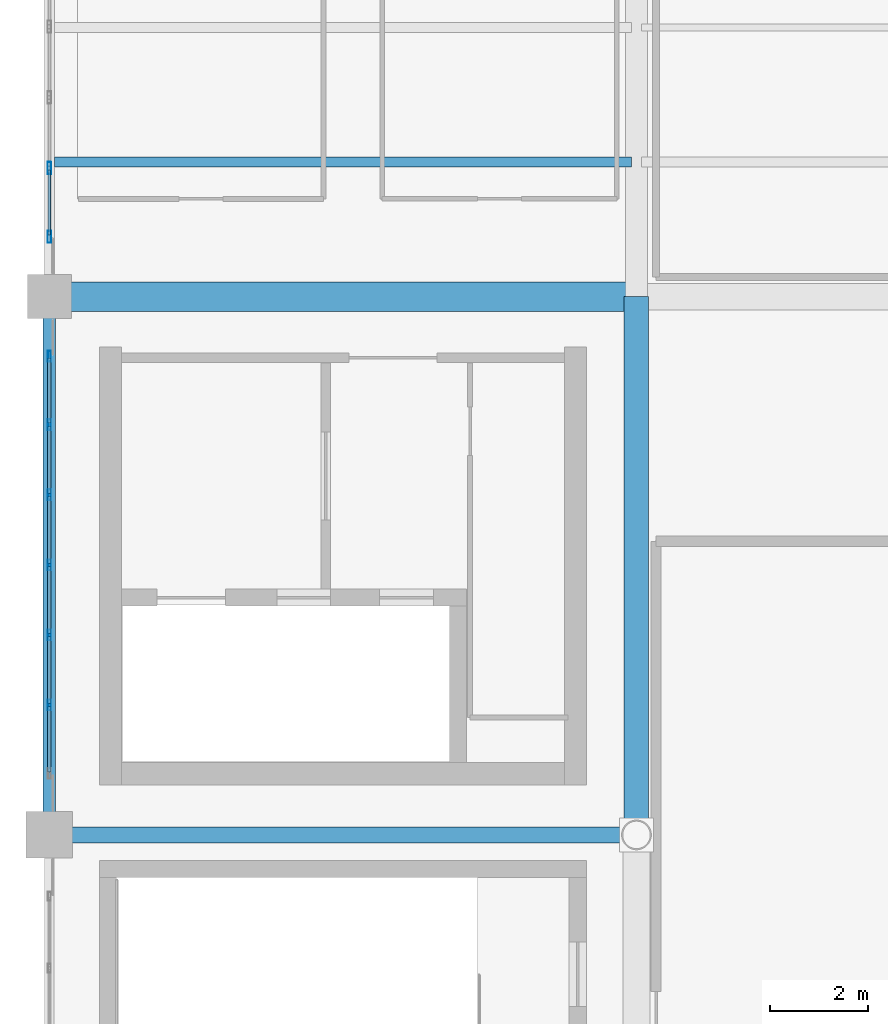
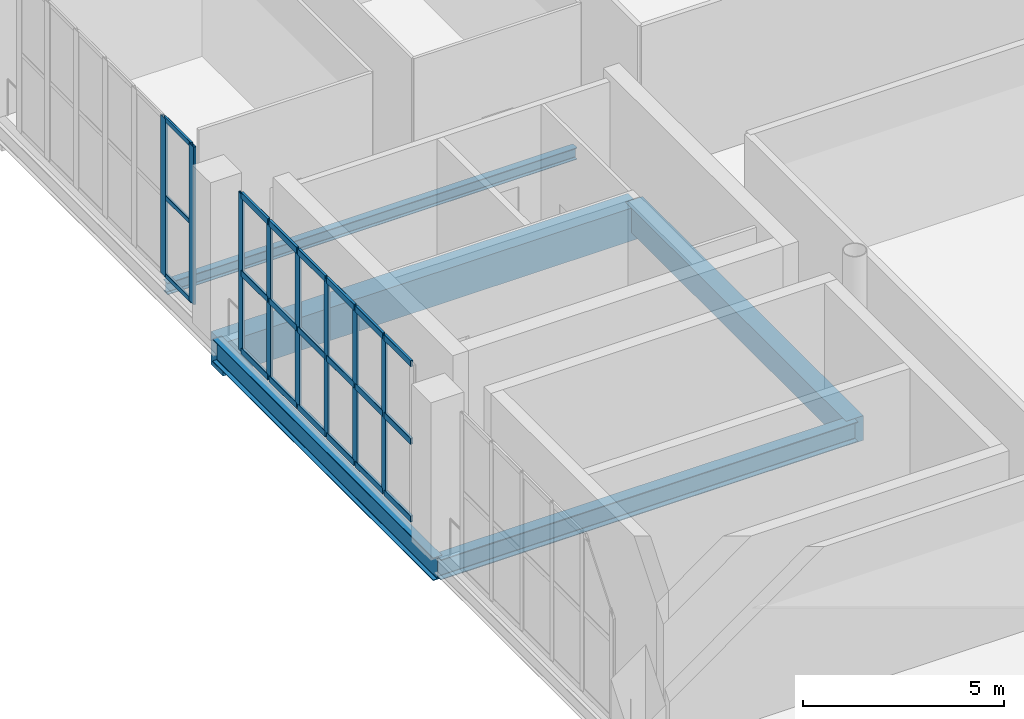
# One storey, part 21 of 49: 29 members, 5 beams, 2 elements without a shape of their own.
"""IFC4 building model written with IfcOpenShell, lengths in metres."""

from ifc_helpers import new_model, si_unit, direction, frame, origin, origin_2d, place, context, subcontext, project, spatial, rectangle, hollow_rectangle, i_section, extrude, material, layer, layer_set, material_profile, profile_set, type_object, element, aggregate, save


model = new_model("IFC4")

# Units and contexts
model_context = context("Model", 3, precision=1e-05, world=origin(), true_north=direction((0.0, 1.0)))
body_context = subcontext(model_context, "Body", "Model", "MODEL_VIEW")
ifc_project = project(units=[si_unit("LENGTHUNIT", "METRE"), si_unit("AREAUNIT", "SQUARE_METRE"), si_unit("VOLUMEUNIT", "CUBIC_METRE"), si_unit("PLANEANGLEUNIT", "RADIAN"), si_unit("MASSUNIT", "GRAM", prefix="KILO")], contexts=[model_context])

# Site, building, storey
site_placement = place(None, origin())
site = spatial("IfcSite", under=ifc_project, at=site_placement, CompositionType="ELEMENT")
building_placement = place(site_placement, origin())
building = spatial("IfcBuilding", under=site, at=building_placement, Name="Brinegate Civic Arena", CompositionType="ELEMENT")
storey_placement = place(building_placement, frame((0.0, 0.0, 24.60009765625)))
storey = spatial("IfcBuildingStorey", under=building, at=storey_placement, Name="L05", CompositionType="ELEMENT", Elevation=24.60009765625)

# Curtain wall, members
ifc_material_1 = material(Name="Marine grade aluminium", Category="aluminium")
ifc_layer = layer(ifc_material_1, 0.199951171875, Name="Marine grade aluminium")
ifc_layer_set = layer_set([ifc_layer], Name="Marine grade aluminium")
curtain_wall_type = type_object("IfcCurtainWallType", Name="CW-BOWL-GLAZED-01", PredefinedType="USERDEFINED", material=ifc_layer_set)
curtain_wall_1_placement = place(storey_placement, origin())
curtain_wall_1 = element("IfcCurtainWall", 1, at=curtain_wall_1_placement, inside=storey, type_object=curtain_wall_type, Name="Curtain Wall CWA-161", ObjectType="GLAZED CURTAIN WALL", PredefinedType="USERDEFINED")
ifc_material_profile_1 = material_profile(ifc_material_1, hollow_rectangle(XDim=0.06494140625, YDim=0.219970703125, WallThickness=0.006103515625, InnerFilletRadius=0.00390625, OuterFilletRadius=0.008056640625, at=origin_2d()), Name="MUL65X220")
ifc_profile_set_1 = profile_set([ifc_material_profile_1], Name="Marine grade aluminium")
member_type_1 = type_object("IfcMemberType", Name="CW-MULLION-65X220", PredefinedType="MULLION", material=ifc_profile_set_1)
member_1_placement = place(storey_placement, frame((48.0, 84.654052734375, 0.0), z_axis=(0.0, 0.0, 1.0), x_axis=(-1.0, 0.0, 0.0)))
member_1 = element("IfcMember", 2, at=member_1_placement, type_object=member_type_1, Name="CWA-161 mullion 2", PredefinedType="MULLION", context=body_context, shape_type="SweptSolid", body=[
    extrude(hollow_rectangle(XDim=0.06494140625, YDim=0.219970703125, WallThickness=0.006103515625, InnerFilletRadius=0.00390625, OuterFilletRadius=0.008056640625, at=origin_2d()), origin(), (0.0, 0.0, 1.0), 4.7998046875),
])
member_2_placement = place(storey_placement, frame((48.0, 86.0859375, 0.0), z_axis=(0.0, 0.0, 1.0), x_axis=(-1.0, 0.0, 0.0)))
member_2 = element("IfcMember", 3, at=member_2_placement, type_object=member_type_1, Name="CWA-161 mullion 3", PredefinedType="MULLION", context=body_context, shape_type="SweptSolid", body=[
    extrude(hollow_rectangle(XDim=0.06494140625, YDim=0.219970703125, WallThickness=0.006103515625, InnerFilletRadius=0.00390625, OuterFilletRadius=0.008056640625, at=origin_2d()), origin(), (0.0, 0.0, 1.0), 4.7998046875),
])
member_3_placement = place(storey_placement, frame((48.0, 87.51806640625, 0.0), z_axis=(0.0, 0.0, 1.0), x_axis=(-1.0, 0.0, 0.0)))
member_3 = element("IfcMember", 4, at=member_3_placement, type_object=member_type_1, Name="CWA-161 mullion 4", PredefinedType="MULLION", context=body_context, shape_type="SweptSolid", body=[
    extrude(hollow_rectangle(XDim=0.06494140625, YDim=0.219970703125, WallThickness=0.006103515625, InnerFilletRadius=0.00390625, OuterFilletRadius=0.008056640625, at=origin_2d()), origin(), (0.0, 0.0, 1.0), 4.7998046875),
])
member_4_placement = place(storey_placement, frame((48.0, 88.949951171875, 0.0), z_axis=(0.0, 0.0, 1.0), x_axis=(-1.0, 0.0, 0.0)))
member_4 = element("IfcMember", 5, at=member_4_placement, type_object=member_type_1, Name="CWA-161 mullion 5", PredefinedType="MULLION", context=body_context, shape_type="SweptSolid", body=[
    extrude(hollow_rectangle(XDim=0.06494140625, YDim=0.219970703125, WallThickness=0.006103515625, InnerFilletRadius=0.00390625, OuterFilletRadius=0.008056640625, at=origin_2d()), origin(), (0.0, 0.0, 1.0), 4.7998046875),
])
member_5_placement = place(storey_placement, frame((48.0, 90.382080078125, 0.0), z_axis=(0.0, 0.0, 1.0), x_axis=(-1.0, 0.0, 0.0)))
member_5 = element("IfcMember", 6, at=member_5_placement, type_object=member_type_1, Name="CWA-161 mullion 6", PredefinedType="MULLION", context=body_context, shape_type="SweptSolid", body=[
    extrude(hollow_rectangle(XDim=0.06494140625, YDim=0.219970703125, WallThickness=0.006103515625, InnerFilletRadius=0.00390625, OuterFilletRadius=0.008056640625, at=origin_2d()), origin(), (0.0, 0.0, 1.0), 4.7998046875),
])
member_6_placement = place(storey_placement, frame((48.0, 91.781494140625, 0.0), z_axis=(0.0, 0.0, 1.0), x_axis=(-1.0, 0.0, 0.0)))
member_6 = element("IfcMember", 7, at=member_6_placement, type_object=member_type_1, Name="CWA-161 mullion 7", PredefinedType="MULLION", context=body_context, shape_type="SweptSolid", body=[
    extrude(hollow_rectangle(XDim=0.06494140625, YDim=0.219970703125, WallThickness=0.006103515625, InnerFilletRadius=0.00390625, OuterFilletRadius=0.008056640625, at=origin_2d()), origin(), (0.0, 0.0, 1.0), 4.7998046875),
])

curtain_wall_2_placement = place(storey_placement, origin())
curtain_wall_2 = element("IfcCurtainWall", 8, at=curtain_wall_2_placement, inside=storey, type_object=curtain_wall_type, Name="Curtain Wall CWA-162", ObjectType="GLAZED CURTAIN WALL", PredefinedType="USERDEFINED")
ifc_material_profile_2 = material_profile(ifc_material_1, hollow_rectangle(XDim=0.074951171875, YDim=0.25, WallThickness=0.006103515625, InnerFilletRadius=0.00390625, OuterFilletRadius=0.008056640625, at=origin_2d()), Name="MUL75X250")
ifc_profile_set_2 = profile_set([ifc_material_profile_2], Name="Marine grade aluminium")
member_type_2 = type_object("IfcMemberType", Name="CW-MULLION-75X250", PredefinedType="MULLION", material=ifc_profile_set_2)
member_7_placement = place(storey_placement, frame((48.0, 94.223388671875, 0.0), z_axis=(0.0, 0.0, 1.0), x_axis=(-1.0, 0.0, 0.0)))
member_7 = element("IfcMember", 9, at=member_7_placement, type_object=member_type_2, Name="CWA-162 mullion 1", PredefinedType="MULLION", context=body_context, shape_type="SweptSolid", body=[
    extrude(hollow_rectangle(XDim=0.074951171875, YDim=0.25, WallThickness=0.006103515625, InnerFilletRadius=0.00390625, OuterFilletRadius=0.008056640625, at=origin_2d()), origin(), (0.0, 0.0, 1.0), 4.7998046875),
])
member_8_placement = place(storey_placement, frame((48.0, 95.6298828125, 0.0), z_axis=(0.0, 0.0, 1.0), x_axis=(-1.0, 0.0, 0.0)))
member_8 = element("IfcMember", 10, at=member_8_placement, type_object=member_type_2, Name="CWA-162 mullion 2", PredefinedType="MULLION", context=body_context, shape_type="SweptSolid", body=[
    extrude(hollow_rectangle(XDim=0.074951171875, YDim=0.25, WallThickness=0.006103515625, InnerFilletRadius=0.00390625, OuterFilletRadius=0.008056640625, at=origin_2d()), origin(), (0.0, 0.0, 1.0), 4.7998046875),
])
ifc_material_profile_3 = material_profile(ifc_material_1, hollow_rectangle(XDim=0.06494140625, YDim=0.139892578125, WallThickness=0.0048828125, InnerFilletRadius=0.00390625, OuterFilletRadius=0.008056640625, at=origin_2d()), Name="TRN65X140")
ifc_profile_set_3 = profile_set([ifc_material_profile_3], Name="Marine grade aluminium")
member_type_3 = type_object("IfcMemberType", Name="CW-TRANSOM-65X140", PredefinedType="USERDEFINED", material=ifc_profile_set_3)
member_9_placement = place(storey_placement, frame((48.0, 94.260986328125, 0.032470703125), z_axis=(0.0, 1.0, 0.0), x_axis=(-1.0, 0.0, 0.0)))
member_9 = element("IfcMember", 11, at=member_9_placement, type_object=member_type_3, Name="CWA-162 transom 1.1", ObjectType="TRANSOM", PredefinedType="USERDEFINED", context=body_context, shape_type="SweptSolid", body=[
    extrude(hollow_rectangle(XDim=0.06494140625, YDim=0.139892578125, WallThickness=0.0048828125, InnerFilletRadius=0.00390625, OuterFilletRadius=0.008056640625, at=origin_2d()), origin(), (0.0, 0.0, 1.0), 1.331298828125),
])
member_10_placement = place(storey_placement, frame((48.0, 94.260986328125, 2.39990234375), z_axis=(0.0, 1.0, 0.0), x_axis=(-1.0, 0.0, 0.0)))
member_10 = element("IfcMember", 12, at=member_10_placement, type_object=member_type_3, Name="CWA-162 transom 1.2", ObjectType="TRANSOM", PredefinedType="USERDEFINED", context=body_context, shape_type="SweptSolid", body=[
    extrude(hollow_rectangle(XDim=0.06494140625, YDim=0.139892578125, WallThickness=0.0048828125, InnerFilletRadius=0.00390625, OuterFilletRadius=0.008056640625, at=origin_2d()), origin(), (0.0, 0.0, 1.0), 1.331298828125),
])
member_11_placement = place(storey_placement, frame((48.0, 94.260986328125, 4.767333984375), z_axis=(0.0, 1.0, 0.0), x_axis=(-1.0, 0.0, 0.0)))
member_11 = element("IfcMember", 13, at=member_11_placement, type_object=member_type_3, Name="CWA-162 transom 1.3", ObjectType="TRANSOM", PredefinedType="USERDEFINED", context=body_context, shape_type="SweptSolid", body=[
    extrude(hollow_rectangle(XDim=0.06494140625, YDim=0.139892578125, WallThickness=0.0048828125, InnerFilletRadius=0.00390625, OuterFilletRadius=0.008056640625, at=origin_2d()), origin(), (0.0, 0.0, 1.0), 1.331298828125),
])
aggregate(curtain_wall_2, [member_7, member_8, member_9, member_10, member_11])

# Member
ifc_material_profile_4 = material_profile(ifc_material_1, hollow_rectangle(XDim=0.074951171875, YDim=0.18994140625, WallThickness=0.006103515625, InnerFilletRadius=0.00390625, OuterFilletRadius=0.008056640625, at=origin_2d()), Name="TRN75X190")
ifc_profile_set_4 = profile_set([ifc_material_profile_4], Name="Marine grade aluminium")
member_type_4 = type_object("IfcMemberType", Name="CW-TRANSOM-75X190", PredefinedType="USERDEFINED", material=ifc_profile_set_4)
member_12_placement = place(storey_placement, frame((48.0, 83.287109375, 0.037353515625), z_axis=(0.0, 1.0, 0.0), x_axis=(-1.0, 0.0, 0.0)))
member_12 = element("IfcMember", 14, at=member_12_placement, type_object=member_type_4, Name="CWA-161 transom 1.1", ObjectType="TRANSOM", PredefinedType="USERDEFINED", context=body_context, shape_type="SweptSolid", body=[
    extrude(hollow_rectangle(XDim=0.074951171875, YDim=0.18994140625, WallThickness=0.006103515625, InnerFilletRadius=0.00390625, OuterFilletRadius=0.008056640625, at=origin_2d()), origin(), (0.0, 0.0, 1.0), 1.33447265625),
])

member_13_placement = place(storey_placement, frame((48.0, 83.287109375, 2.39990234375), z_axis=(0.0, 1.0, 0.0), x_axis=(-1.0, 0.0, 0.0)))
member_13 = element("IfcMember", 15, at=member_13_placement, type_object=member_type_4, Name="CWA-161 transom 1.2", ObjectType="TRANSOM", PredefinedType="USERDEFINED", context=body_context, shape_type="SweptSolid", body=[
    extrude(hollow_rectangle(XDim=0.074951171875, YDim=0.18994140625, WallThickness=0.006103515625, InnerFilletRadius=0.00390625, OuterFilletRadius=0.008056640625, at=origin_2d()), origin(), (0.0, 0.0, 1.0), 1.33447265625),
])

member_14_placement = place(storey_placement, frame((48.0, 83.287109375, 4.762451171875), z_axis=(0.0, 1.0, 0.0), x_axis=(-1.0, 0.0, 0.0)))
member_14 = element("IfcMember", 16, at=member_14_placement, type_object=member_type_4, Name="CWA-161 transom 1.3", ObjectType="TRANSOM", PredefinedType="USERDEFINED", context=body_context, shape_type="SweptSolid", body=[
    extrude(hollow_rectangle(XDim=0.074951171875, YDim=0.18994140625, WallThickness=0.006103515625, InnerFilletRadius=0.00390625, OuterFilletRadius=0.008056640625, at=origin_2d()), origin(), (0.0, 0.0, 1.0), 1.33447265625),
])

member_15_placement = place(storey_placement, frame((48.0, 84.6865234375, 0.037353515625), z_axis=(0.0, 1.0, 0.0), x_axis=(-1.0, 0.0, 0.0)))
member_15 = element("IfcMember", 17, at=member_15_placement, type_object=member_type_4, Name="CWA-161 transom 2.1", ObjectType="TRANSOM", PredefinedType="USERDEFINED", context=body_context, shape_type="SweptSolid", body=[
    extrude(hollow_rectangle(XDim=0.074951171875, YDim=0.18994140625, WallThickness=0.006103515625, InnerFilletRadius=0.00390625, OuterFilletRadius=0.008056640625, at=origin_2d()), origin(), (0.0, 0.0, 1.0), 1.366943359375),
])

member_16_placement = place(storey_placement, frame((48.0, 84.6865234375, 2.39990234375), z_axis=(0.0, 1.0, 0.0), x_axis=(-1.0, 0.0, 0.0)))
member_16 = element("IfcMember", 18, at=member_16_placement, type_object=member_type_4, Name="CWA-161 transom 2.2", ObjectType="TRANSOM", PredefinedType="USERDEFINED", context=body_context, shape_type="SweptSolid", body=[
    extrude(hollow_rectangle(XDim=0.074951171875, YDim=0.18994140625, WallThickness=0.006103515625, InnerFilletRadius=0.00390625, OuterFilletRadius=0.008056640625, at=origin_2d()), origin(), (0.0, 0.0, 1.0), 1.366943359375),
])

member_17_placement = place(storey_placement, frame((48.0, 84.6865234375, 4.762451171875), z_axis=(0.0, 1.0, 0.0), x_axis=(-1.0, 0.0, 0.0)))
member_17 = element("IfcMember", 19, at=member_17_placement, type_object=member_type_4, Name="CWA-161 transom 2.3", ObjectType="TRANSOM", PredefinedType="USERDEFINED", context=body_context, shape_type="SweptSolid", body=[
    extrude(hollow_rectangle(XDim=0.074951171875, YDim=0.18994140625, WallThickness=0.006103515625, InnerFilletRadius=0.00390625, OuterFilletRadius=0.008056640625, at=origin_2d()), origin(), (0.0, 0.0, 1.0), 1.366943359375),
])

member_18_placement = place(storey_placement, frame((48.0, 86.118408203125, 0.037353515625), z_axis=(0.0, 1.0, 0.0), x_axis=(-1.0, 0.0, 0.0)))
member_18 = element("IfcMember", 20, at=member_18_placement, type_object=member_type_4, Name="CWA-161 transom 3.1", ObjectType="TRANSOM", PredefinedType="USERDEFINED", context=body_context, shape_type="SweptSolid", body=[
    extrude(hollow_rectangle(XDim=0.074951171875, YDim=0.18994140625, WallThickness=0.006103515625, InnerFilletRadius=0.00390625, OuterFilletRadius=0.008056640625, at=origin_2d()), origin(), (0.0, 0.0, 1.0), 1.3671875),
])

member_19_placement = place(storey_placement, frame((48.0, 86.118408203125, 2.39990234375), z_axis=(0.0, 1.0, 0.0), x_axis=(-1.0, 0.0, 0.0)))
member_19 = element("IfcMember", 21, at=member_19_placement, type_object=member_type_4, Name="CWA-161 transom 3.2", ObjectType="TRANSOM", PredefinedType="USERDEFINED", context=body_context, shape_type="SweptSolid", body=[
    extrude(hollow_rectangle(XDim=0.074951171875, YDim=0.18994140625, WallThickness=0.006103515625, InnerFilletRadius=0.00390625, OuterFilletRadius=0.008056640625, at=origin_2d()), origin(), (0.0, 0.0, 1.0), 1.3671875),
])

member_20_placement = place(storey_placement, frame((48.0, 86.118408203125, 4.762451171875), z_axis=(0.0, 1.0, 0.0), x_axis=(-1.0, 0.0, 0.0)))
member_20 = element("IfcMember", 22, at=member_20_placement, type_object=member_type_4, Name="CWA-161 transom 3.3", ObjectType="TRANSOM", PredefinedType="USERDEFINED", context=body_context, shape_type="SweptSolid", body=[
    extrude(hollow_rectangle(XDim=0.074951171875, YDim=0.18994140625, WallThickness=0.006103515625, InnerFilletRadius=0.00390625, OuterFilletRadius=0.008056640625, at=origin_2d()), origin(), (0.0, 0.0, 1.0), 1.3671875),
])

member_21_placement = place(storey_placement, frame((48.0, 87.550537109375, 0.037353515625), z_axis=(0.0, 1.0, 0.0), x_axis=(-1.0, 0.0, 0.0)))
member_21 = element("IfcMember", 23, at=member_21_placement, type_object=member_type_4, Name="CWA-161 transom 4.1", ObjectType="TRANSOM", PredefinedType="USERDEFINED", context=body_context, shape_type="SweptSolid", body=[
    extrude(hollow_rectangle(XDim=0.074951171875, YDim=0.18994140625, WallThickness=0.006103515625, InnerFilletRadius=0.00390625, OuterFilletRadius=0.008056640625, at=origin_2d()), origin(), (0.0, 0.0, 1.0), 1.366943359375),
])

member_22_placement = place(storey_placement, frame((48.0, 87.550537109375, 2.39990234375), z_axis=(0.0, 1.0, 0.0), x_axis=(-1.0, 0.0, 0.0)))
member_22 = element("IfcMember", 24, at=member_22_placement, type_object=member_type_4, Name="CWA-161 transom 4.2", ObjectType="TRANSOM", PredefinedType="USERDEFINED", context=body_context, shape_type="SweptSolid", body=[
    extrude(hollow_rectangle(XDim=0.074951171875, YDim=0.18994140625, WallThickness=0.006103515625, InnerFilletRadius=0.00390625, OuterFilletRadius=0.008056640625, at=origin_2d()), origin(), (0.0, 0.0, 1.0), 1.366943359375),
])

member_23_placement = place(storey_placement, frame((48.0, 87.550537109375, 4.762451171875), z_axis=(0.0, 1.0, 0.0), x_axis=(-1.0, 0.0, 0.0)))
member_23 = element("IfcMember", 25, at=member_23_placement, type_object=member_type_4, Name="CWA-161 transom 4.3", ObjectType="TRANSOM", PredefinedType="USERDEFINED", context=body_context, shape_type="SweptSolid", body=[
    extrude(hollow_rectangle(XDim=0.074951171875, YDim=0.18994140625, WallThickness=0.006103515625, InnerFilletRadius=0.00390625, OuterFilletRadius=0.008056640625, at=origin_2d()), origin(), (0.0, 0.0, 1.0), 1.366943359375),
])

member_24_placement = place(storey_placement, frame((48.0, 88.982421875, 0.037353515625), z_axis=(0.0, 1.0, 0.0), x_axis=(-1.0, 0.0, 0.0)))
member_24 = element("IfcMember", 26, at=member_24_placement, type_object=member_type_4, Name="CWA-161 transom 5.1", ObjectType="TRANSOM", PredefinedType="USERDEFINED", context=body_context, shape_type="SweptSolid", body=[
    extrude(hollow_rectangle(XDim=0.074951171875, YDim=0.18994140625, WallThickness=0.006103515625, InnerFilletRadius=0.00390625, OuterFilletRadius=0.008056640625, at=origin_2d()), origin(), (0.0, 0.0, 1.0), 1.3671875),
])

member_25_placement = place(storey_placement, frame((48.0, 88.982421875, 2.39990234375), z_axis=(0.0, 1.0, 0.0), x_axis=(-1.0, 0.0, 0.0)))
member_25 = element("IfcMember", 27, at=member_25_placement, type_object=member_type_4, Name="CWA-161 transom 5.2", ObjectType="TRANSOM", PredefinedType="USERDEFINED", context=body_context, shape_type="SweptSolid", body=[
    extrude(hollow_rectangle(XDim=0.074951171875, YDim=0.18994140625, WallThickness=0.006103515625, InnerFilletRadius=0.00390625, OuterFilletRadius=0.008056640625, at=origin_2d()), origin(), (0.0, 0.0, 1.0), 1.3671875),
])

member_26_placement = place(storey_placement, frame((48.0, 88.982421875, 4.762451171875), z_axis=(0.0, 1.0, 0.0), x_axis=(-1.0, 0.0, 0.0)))
member_26 = element("IfcMember", 28, at=member_26_placement, type_object=member_type_4, Name="CWA-161 transom 5.3", ObjectType="TRANSOM", PredefinedType="USERDEFINED", context=body_context, shape_type="SweptSolid", body=[
    extrude(hollow_rectangle(XDim=0.074951171875, YDim=0.18994140625, WallThickness=0.006103515625, InnerFilletRadius=0.00390625, OuterFilletRadius=0.008056640625, at=origin_2d()), origin(), (0.0, 0.0, 1.0), 1.3671875),
])

member_27_placement = place(storey_placement, frame((48.0, 90.41455078125, 0.037353515625), z_axis=(0.0, 1.0, 0.0), x_axis=(-1.0, 0.0, 0.0)))
member_27 = element("IfcMember", 29, at=member_27_placement, type_object=member_type_4, Name="CWA-161 transom 6.1", ObjectType="TRANSOM", PredefinedType="USERDEFINED", context=body_context, shape_type="SweptSolid", body=[
    extrude(hollow_rectangle(XDim=0.074951171875, YDim=0.18994140625, WallThickness=0.006103515625, InnerFilletRadius=0.00390625, OuterFilletRadius=0.008056640625, at=origin_2d()), origin(), (0.0, 0.0, 1.0), 1.33447265625),
])

member_28_placement = place(storey_placement, frame((48.0, 90.41455078125, 2.39990234375), z_axis=(0.0, 1.0, 0.0), x_axis=(-1.0, 0.0, 0.0)))
member_28 = element("IfcMember", 30, at=member_28_placement, type_object=member_type_4, Name="CWA-161 transom 6.2", ObjectType="TRANSOM", PredefinedType="USERDEFINED", context=body_context, shape_type="SweptSolid", body=[
    extrude(hollow_rectangle(XDim=0.074951171875, YDim=0.18994140625, WallThickness=0.006103515625, InnerFilletRadius=0.00390625, OuterFilletRadius=0.008056640625, at=origin_2d()), origin(), (0.0, 0.0, 1.0), 1.33447265625),
])

member_29_placement = place(storey_placement, frame((48.0, 90.41455078125, 4.762451171875), z_axis=(0.0, 1.0, 0.0), x_axis=(-1.0, 0.0, 0.0)))
member_29 = element("IfcMember", 31, at=member_29_placement, type_object=member_type_4, Name="CWA-161 transom 6.3", ObjectType="TRANSOM", PredefinedType="USERDEFINED", context=body_context, shape_type="SweptSolid", body=[
    extrude(hollow_rectangle(XDim=0.074951171875, YDim=0.18994140625, WallThickness=0.006103515625, InnerFilletRadius=0.00390625, OuterFilletRadius=0.008056640625, at=origin_2d()), origin(), (0.0, 0.0, 1.0), 1.33447265625),
])

aggregate(curtain_wall_1, [member_1, member_2, member_3, member_4, member_5, member_6, member_12, member_13, member_14, member_15, member_16, member_17, member_18, member_19, member_20, member_21, member_22, member_23, member_24, member_25, member_26, member_27, member_28, member_29])

# Beams
ifc_material_2 = material(Name="Steel S355", Category="steel")
ifc_material_profile_5 = material_profile(ifc_material_2, i_section(OverallWidth=0.324951171875, OverallDepth=0.615966796875, WebThickness=0.013916015625, FlangeThickness=0.02197265625, FilletRadius=0.01611328125, at=origin_2d()), Name="W610X174")
ifc_profile_set_5 = profile_set([ifc_material_profile_5], Name="Steel S355")
beam_type_1 = type_object("IfcBeamType", Name="GIRDER-W610X174", PredefinedType="BEAM", material=ifc_profile_set_5)
beam_1_placement = place(storey_placement, frame((48.0, 82.0, -0.63818359375), z_axis=(1.0, 0.0, 0.0), x_axis=(0.0, 1.0, 0.0)))
element("IfcBeam", 32, at=beam_1_placement, inside=storey, type_object=beam_type_1, Name="Floor Girder BM-L05-GX-04-08", PredefinedType="BEAM", context=body_context, shape_type="SweptSolid", body=[
    extrude(i_section(OverallWidth=0.324951171875, OverallDepth=0.615966796875, WebThickness=0.013916015625, FlangeThickness=0.02197265625, FilletRadius=0.01611328125, at=origin_2d()), origin(), (0.0, 0.0, 1.0), 12.0),
])
ifc_material_profile_6 = material_profile(ifc_material_2, i_section(OverallWidth=0.205078125, OverallDepth=0.35400390625, WebThickness=0.009033203125, FlangeThickness=0.01708984375, FilletRadius=0.013916015625, at=origin_2d()), Name="W360X79")
ifc_profile_set_6 = profile_set([ifc_material_profile_6], Name="Steel S355")
beam_type_2 = type_object("IfcBeamType", Name="JOIST-W360X79", PredefinedType="JOIST", material=ifc_profile_set_6)
beam_2_placement = place(storey_placement, frame((48.10595703125, 95.75, -0.507080078125), z_axis=(1.0, 0.0, 0.0), x_axis=(0.0, 1.0, 0.0)))
element("IfcBeam", 33, at=beam_2_placement, inside=storey, type_object=beam_type_2, Name="Secondary Joist BM-L05-JX-04-09-1", PredefinedType="JOIST", context=body_context, shape_type="SweptSolid", body=[
    extrude(i_section(OverallWidth=0.205078125, OverallDepth=0.35400390625, WebThickness=0.009033203125, FlangeThickness=0.01708984375, FilletRadius=0.013916015625, at=origin_2d()), origin(), (0.0, 0.0, 1.0), 11.7880859375),
])
ifc_material_3 = material(Name="Concrete C50/60", Category="concrete")
ifc_material_profile_7 = material_profile(ifc_material_3, rectangle(XDim=0.5, YDim=0.75, at=origin_2d()), Name="RCB500X750")
ifc_profile_set_7 = profile_set([ifc_material_profile_7], Name="Concrete C50/60")
beam_type_3 = type_object("IfcBeamType", Name="RCG-500X750", PredefinedType="BEAM", material=ifc_profile_set_7)
beam_3_placement = place(storey_placement, frame((60.0, 82.0, -0.705078125), z_axis=(0.0, 1.0, 0.0), x_axis=(-1.0, 0.0, 0.0)))
element("IfcBeam", 34, at=beam_3_placement, inside=storey, type_object=beam_type_3, Name="Floor Girder BM-L05-GY-05-08", PredefinedType="BEAM", context=body_context, shape_type="SweptSolid", body=[
    extrude(rectangle(XDim=0.5, YDim=0.75, at=origin_2d()), origin(), (0.0, 0.0, 1.0), 11.0),
])
ifc_material_profile_8 = material_profile(ifc_material_3, rectangle(XDim=0.60009765625, YDim=1.0, at=origin_2d()), Name="RCB600X1000")
ifc_profile_set_8 = profile_set([ifc_material_profile_8], Name="Concrete C50/60")
beam_type_4 = type_object("IfcBeamType", Name="RCG-600X1000", PredefinedType="BEAM", material=ifc_profile_set_8)
beam_4_placement = place(storey_placement, frame((48.0, 93.0, -0.830078125), z_axis=(1.0, 0.0, 0.0), x_axis=(0.0, 1.0, 0.0)))
element("IfcBeam", 35, at=beam_4_placement, inside=storey, type_object=beam_type_4, Name="Floor Girder BM-L05-GX-04-09", PredefinedType="BEAM", context=body_context, shape_type="SweptSolid", body=[
    extrude(rectangle(XDim=0.60009765625, YDim=1.0, at=origin_2d()), origin(), (0.0, 0.0, 1.0), 12.0),
])
ifc_material_profile_9 = material_profile(ifc_material_2, i_section(OverallWidth=0.256103515625, OverallDepth=0.693115234375, WebThickness=0.014892578125, FlangeThickness=0.02392578125, FilletRadius=0.01806640625, at=origin_2d()), Name="W690X170")
ifc_profile_set_9 = profile_set([ifc_material_profile_9], Name="Steel S355")
beam_type_5 = type_object("IfcBeamType", Name="SPANDREL-W690X170", PredefinedType="SPANDREL", material=ifc_profile_set_9)
beam_5_placement = place(storey_placement, frame((48.0, 82.0, -0.676025390625), z_axis=(0.0, 1.0, 0.0), x_axis=(-1.0, 0.0, 0.0)))
element("IfcBeam", 36, at=beam_5_placement, inside=storey, type_object=beam_type_5, Name="Floor Girder BM-L05-GY-04-08", PredefinedType="SPANDREL", context=body_context, shape_type="SweptSolid", body=[
    extrude(i_section(OverallWidth=0.256103515625, OverallDepth=0.693115234375, WebThickness=0.014892578125, FlangeThickness=0.02392578125, FilletRadius=0.01806640625, at=origin_2d()), origin(), (0.0, 0.0, 1.0), 11.0),
])

save(model, "model.ifc")
